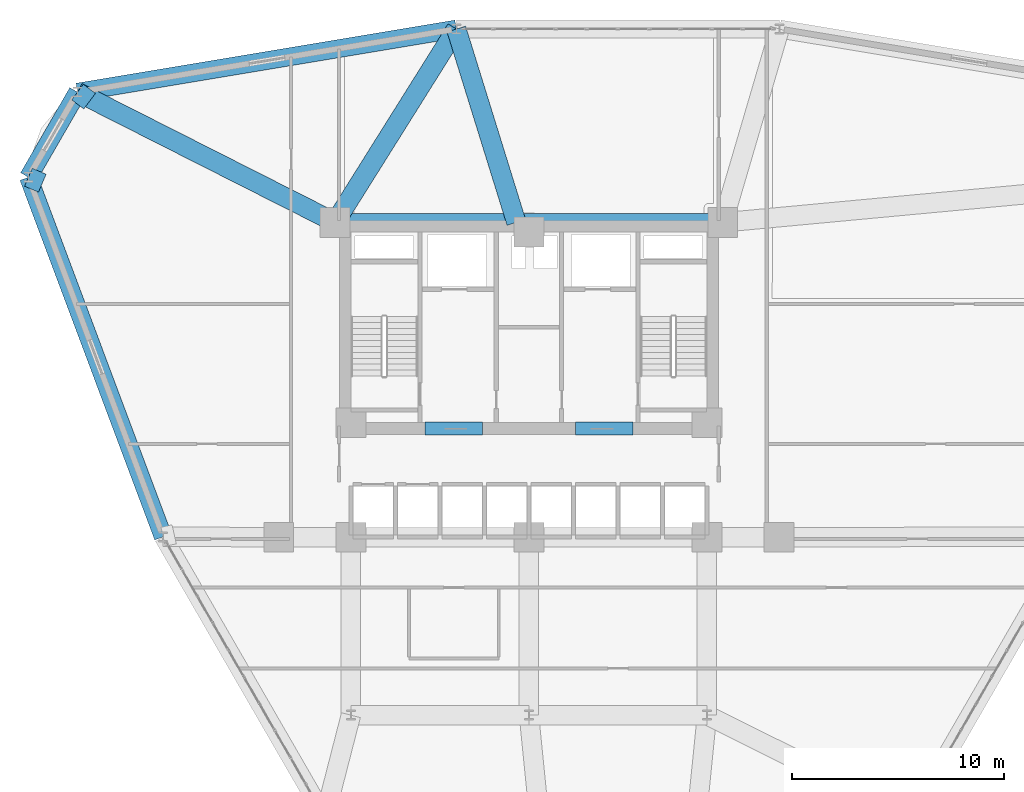
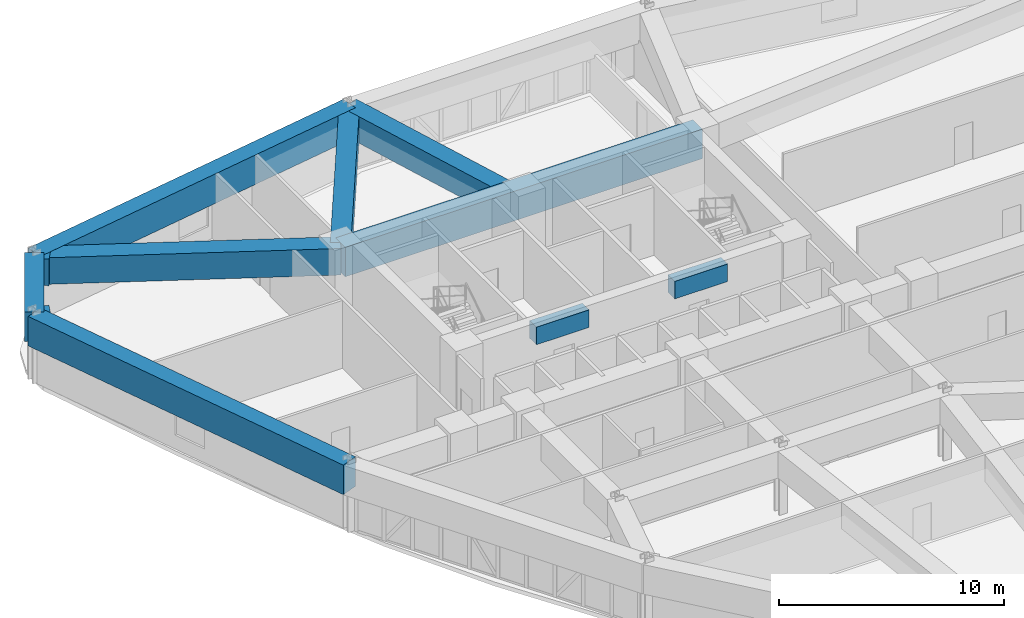
# One storey, part 9 of 18: 11 beams.
"""IFC4 building model written with IfcOpenShell, lengths in metres."""

import ifcopenshell
import ifcopenshell.guid

model = None  # the IFC model being written
_history = None  # IfcOwnerHistory: only IFC2X3 demands one
_inside = {}  # id of a spatial element -> (the spatial element, [elements in it])
_under = {}  # id of a project, library or spatial element -> (it, [spatial elements below it])
_declared = {}  # id of a project -> (the project, [libraries it declares])
_typed = {}  # id of a type object -> (the type object, [elements of that type])
_made_of = {}  # id of a material, layer set ... -> (it, [elements and type objects made of it])


def new_model(schema):
    """Start an empty IFC model of exactly this schema.

    Asked for "IFC4X3", IfcOpenShell would pick the latest addendum, in which some entities
    have other attributes; the version numbers below select the first issue.
    IFC2X3 requires an IfcOwnerHistory on every rooted entity: one is made here for all.
    """
    global model, _history
    if schema == "IFC4X3":
        model = ifcopenshell.file(schema_version=(4, 3, 0, 0))
    else:
        model = ifcopenshell.file(schema=schema)
    _inside.clear()
    _under.clear()
    _declared.clear()
    _typed.clear()
    _made_of.clear()
    _history = None
    if model.schema == "IFC2X3":
        org = make("IfcOrganization", Name="unknown")
        user = make(
            "IfcPersonAndOrganization",
            ThePerson=make("IfcPerson", FamilyName="unknown"),
            TheOrganization=org,
        )
        app = make(
            "IfcApplication",
            ApplicationDeveloper=org,
            Version="unknown",
            ApplicationFullName="unknown",
            ApplicationIdentifier="unknown",
        )
        _history = make(
            "IfcOwnerHistory",
            OwningUser=user,
            OwningApplication=app,
            ChangeAction="ADDED",
            CreationDate=0,
        )
    return model


def make(cls, **values):
    """One entity of the class cls with the attributes given. An attribute that is None is left unset."""
    return model.create_entity(
        cls, **{name: value for name, value in values.items() if value is not None}
    )


def rooted(cls, **values):
    """An entity with a GlobalId (a new one), such as an element, a storey or a relation."""
    return make(cls, GlobalId=ifcopenshell.guid.new(), OwnerHistory=_history, **values)


def si_unit(unit_type, name, prefix=None):
    """IfcSIUnit, for example si_unit("LENGTHUNIT", "METRE", prefix="MILLI")."""
    return make("IfcSIUnit", UnitType=unit_type, Prefix=prefix, Name=name)


def derived_unit(unit_type, elements):
    """IfcDerivedUnit: a product of units, each with its exponent."""
    return make(
        "IfcDerivedUnit",
        Elements=[
            make("IfcDerivedUnitElement", Unit=unit, Exponent=power)
            for unit, power in elements
        ],
        UnitType=unit_type,
    )


def assignment(units):
    """IfcUnitAssignment: the units of a project."""
    return None if units is None else make("IfcUnitAssignment", Units=units)


def point(xyz):
    """IfcCartesianPoint."""
    return None if xyz is None else make("IfcCartesianPoint", Coordinates=xyz)


def direction(xyz):
    """IfcDirection."""
    return None if xyz is None else make("IfcDirection", DirectionRatios=xyz)


def frame(location, z_axis=None, x_axis=None):
    """IfcAxis2Placement3D, a coordinate frame: its origin and axes. An axis left out is left unset."""
    return make(
        "IfcAxis2Placement3D",
        Location=point(location),
        Axis=direction(z_axis),
        RefDirection=direction(x_axis),
    )


def frame_2d(location, x_axis=None):
    """IfcAxis2Placement2D, a coordinate frame in the plane: its origin and x axis."""
    return make(
        "IfcAxis2Placement2D", Location=point(location), RefDirection=direction(x_axis)
    )


def origin():
    """The frame at (0, 0, 0) with its axes left unset."""
    return frame((0.0, 0.0, 0.0))


def origin_2d():
    """The frame at (0, 0) in the plane with its x axis left unset."""
    return frame_2d((0.0, 0.0))


def place(relative_to, where):
    """IfcLocalPlacement: puts the frame where relative to a parent placement (None: the world)."""
    return make(
        "IfcLocalPlacement", PlacementRelTo=relative_to, RelativePlacement=where
    )


def context(
    kind, dimensions, precision=None, world=None, true_north=None, identifier=None
):
    """IfcGeometricRepresentationContext, for example the 3D "Model" context."""
    return make(
        "IfcGeometricRepresentationContext",
        ContextIdentifier=identifier,
        ContextType=kind,
        CoordinateSpaceDimension=dimensions,
        Precision=precision,
        WorldCoordinateSystem=world,
        TrueNorth=true_north,
    )


def subcontext(parent, identifier, kind, view, scale=None):
    """IfcGeometricRepresentationSubContext, for example "Body" below "Model"."""
    return make(
        "IfcGeometricRepresentationSubContext",
        ContextIdentifier=identifier,
        ContextType=kind,
        ParentContext=parent,
        TargetScale=scale,
        TargetView=view,
    )


def project(units=None, contexts=None):
    """IfcProject with its units and contexts."""
    return rooted(
        "IfcProject",
        Name="project",
        RepresentationContexts=contexts,
        UnitsInContext=assignment(units),
    )


def spatial(cls, under=None, at=None, **own):
    """A site, building, storey or space (cls), placed at a placement, below another one or the project."""
    s = rooted(cls, ObjectPlacement=at, **own)
    if under is not None:
        _under.setdefault(under.id(), (under, []))[1].append(s)
    return s


def profile(cls, at=None, kind="AREA", **sizes):
    """A parametric profile (cls). Its sizes go by their IFC names, for example OverallWidth=200.0."""
    return make(cls, ProfileType=kind, Position=at, **sizes)


def rectangle(**sizes):
    """IfcRectangleProfileDef."""
    return profile("IfcRectangleProfileDef", **sizes)


def extrude(swept, where, along, depth):
    """IfcExtrudedAreaSolid: the profile swept, set in the frame where, extruded along a direction by depth."""
    return make(
        "IfcExtrudedAreaSolid",
        SweptArea=swept,
        Position=where,
        ExtrudedDirection=direction(along),
        Depth=depth,
    )


def shape(context_of_items, identifier, shape_type, items):
    """IfcShapeRepresentation: the items that make up one representation, for example the "Body"."""
    return make(
        "IfcShapeRepresentation",
        ContextOfItems=context_of_items,
        RepresentationIdentifier=identifier,
        RepresentationType=shape_type,
        Items=items,
    )


def source(mapping_origin, context_of_items, identifier, shape_type, items):
    """IfcRepresentationMap: a shape defined once, which mapped items show again and again."""
    return make(
        "IfcRepresentationMap",
        MappingOrigin=mapping_origin,
        MappedRepresentation=shape(context_of_items, identifier, shape_type, items),
    )


def transform(
    local_origin,
    x_axis=None,
    y_axis=None,
    z_axis=None,
    scale=None,
    scale2=None,
    scale3=None,
    uniform=True,
):
    """IfcCartesianTransformationOperator3D, or its non-uniform kind. x_axis, y_axis, z_axis: its Axis1, 2, 3."""
    if uniform:
        return make(
            "IfcCartesianTransformationOperator3D",
            Axis1=direction(x_axis),
            Axis2=direction(y_axis),
            LocalOrigin=point(local_origin),
            Scale=scale,
            Axis3=direction(z_axis),
        )
    return make(
        "IfcCartesianTransformationOperator3DnonUniform",
        Axis1=direction(x_axis),
        Axis2=direction(y_axis),
        LocalOrigin=point(local_origin),
        Scale=scale,
        Axis3=direction(z_axis),
        Scale2=scale2,
        Scale3=scale3,
    )


def mapped(mapping_source, mapping_target):
    """IfcMappedItem: shows the shape of a source again, moved by a transform."""
    return make(
        "IfcMappedItem", MappingSource=mapping_source, MappingTarget=mapping_target
    )


def material(Name=None, Category=None):
    """IfcMaterial."""
    return make("IfcMaterial", Name=Name, Category=Category)


def material_profile(
    of_material, cross_section, Name=None, Category=None, Priority=None
):
    """IfcMaterialProfile: a cross section and its material."""
    return make(
        "IfcMaterialProfile",
        Name=Name,
        Material=of_material,
        Profile=cross_section,
        Priority=Priority,
        Category=Category,
    )


def profile_set(profiles, Name=None, composite=None):
    """IfcMaterialProfileSet."""
    return make(
        "IfcMaterialProfileSet",
        Name=Name,
        MaterialProfiles=profiles,
        CompositeProfile=composite,
    )


def made_of(thing, what):
    """Note that an element or type object is made of a material, layer set ...; save() writes the relation."""
    if what is not None:
        _made_of.setdefault(what.id(), (what, []))[1].append(thing)
    return thing


def type_object(cls, material=None, **own):
    """A type object (cls), such as IfcWallType, which elements share."""
    return made_of(rooted(cls, **own), material)


def element(
    cls,
    number,
    at=None,
    inside=None,
    cuts=None,
    type_object=None,
    material=None,
    context=None,
    identifier="Body",
    shape_type=None,
    held_by="IfcProductDefinitionShape",
    body=None,
    shapes=None,
    **own,
):
    """One element of the class cls, such as IfcWall. Its Tag is "e" and its number.

    at: its placement. inside: the storey or other place that contains it. cuts: it is an
    opening in that element (IfcRelVoidsElement). A single representation is given by context,
    identifier, shape_type and body (its items); several are given by shapes. held_by: the class
    of the entity that holds the representations. save() writes the other relations.
    """
    e = rooted(cls, Tag="e%d" % number, ObjectPlacement=at, **own)
    if body is not None:
        shapes = [shape(context, identifier, shape_type, body)]
    if shapes is not None:
        e.Representation = make(held_by, Representations=shapes)
    if inside is not None:
        _inside.setdefault(inside.id(), (inside, []))[1].append(e)
    if cuts is not None:
        rooted(
            "IfcRelVoidsElement", RelatingBuildingElement=cuts, RelatedOpeningElement=e
        )
    if type_object is not None:
        _typed.setdefault(type_object.id(), (type_object, []))[1].append(e)
    return made_of(e, material)


def aggregate(whole, parts):
    """IfcRelAggregates: a whole, such as a stair, and the parts it consists of."""
    return rooted("IfcRelAggregates", RelatingObject=whole, RelatedObjects=parts)


def save(model, path):
    """Write the relations noted so far, then the file.

    IfcRelAggregates (storeys below a building ...), IfcRelContainedInSpatialStructure (elements
    in a storey), IfcRelDefinesByType, IfcRelAssociatesMaterial and IfcRelDeclares: one each for
    every whole, place, type object, material and project.
    """
    for whole, parts in _under.values():
        aggregate(whole, parts)
    for where, things in _inside.values():
        rooted(
            "IfcRelContainedInSpatialStructure",
            RelatedElements=things,
            RelatingStructure=where,
        )
    for kind, things in _typed.values():
        rooted("IfcRelDefinesByType", RelatedObjects=things, RelatingType=kind)
    for what, things in _made_of.values():
        rooted("IfcRelAssociatesMaterial", RelatedObjects=things, RelatingMaterial=what)
    for by, libraries in _declared.values():
        rooted("IfcRelDeclares", RelatingContext=by, RelatedDefinitions=libraries)
    model.write(path)


model = new_model("IFC4")

# Units and contexts
model_context = context("Model", 3, precision=1e-05, world=origin(), true_north=direction((0.0, 1.0)))
body_context = subcontext(model_context, "Body", "Model", "MODEL_VIEW")
ifc_project = project(units=[si_unit("LENGTHUNIT", "METRE"), si_unit("AREAUNIT", "SQUARE_METRE"), si_unit("VOLUMEUNIT", "CUBIC_METRE"), si_unit("PLANEANGLEUNIT", "RADIAN"), si_unit("MASSUNIT", "GRAM", prefix="KILO"), derived_unit("THERMALTRANSMITTANCEUNIT", [(si_unit("POWERUNIT", "WATT"), 1), (si_unit("LENGTHUNIT", "METRE"), -2), (si_unit("THERMODYNAMICTEMPERATUREUNIT", "KELVIN"), -1)])], contexts=[model_context])

# Site, building, storey
site_placement = place(None, origin())
site = spatial("IfcSite", under=ifc_project, at=site_placement, CompositionType="ELEMENT")
building_placement = place(site_placement, origin())
building = spatial("IfcBuilding", under=site, at=building_placement, Name="Korsvarv Bourse and Concert Hall", CompositionType="ELEMENT")
storey_placement = place(building_placement, frame((0.0, 0.0, 71.699951171875)))
storey = spatial("IfcBuildingStorey", under=building, at=storey_placement, Name="L17", CompositionType="ELEMENT", Elevation=71.699951171875)

# Beams
ifc_material_1 = material(Name="Concrete C55/67", Category="concrete")
ifc_material_profile_1 = material_profile(ifc_material_1, rectangle(XDim=0.60009765625, YDim=0.949951171875, at=origin_2d()), Name="RC-BM 600x950")
ifc_profile_set_1 = profile_set([ifc_material_profile_1], Name="Concrete C55/67")
beam_type_1 = type_object("IfcBeamType", Name="BM-CPL", PredefinedType="LINTEL", material=ifc_profile_set_1)
shared_shape_1 = source(origin(), body_context, "Body", "SweptSolid", [
    extrude(rectangle(XDim=0.60009765625, YDim=0.949951171875, at=origin_2d()), origin(), (0.0, 0.0, 1.0), 2.699951171875),
])
for number, where, z_axis, x_axis, name in (
    (1, (31.10009765625, 37.52490234375, 3.205078125), (1.0, 0.0, 0.0), (0.0, 1.0, 0.0), "L17 Core Coupling Beam West"),
    (2, (38.199951171875, 37.52490234375, 3.205078125), (1.0, 0.0, 0.0), (0.0, 1.0, 0.0), "L17 Core Coupling Beam East"),
):
    element("IfcBeam", number, at=place(storey_placement, frame(where, z_axis=z_axis, x_axis=x_axis)), inside=storey, type_object=beam_type_1, Name=name, PredefinedType="LINTEL", context=body_context, shape_type="MappedRepresentation", body=[
        mapped(shared_shape_1, transform((0.0, 0.0, 0.0), scale=1.0)),
    ])
ifc_material_profile_2 = material_profile(ifc_material_1, rectangle(XDim=0.85009765625, YDim=1.60009765625, at=origin_2d()), Name="RC-BM 850x1600")
ifc_profile_set_2 = profile_set([ifc_material_profile_2], Name="Concrete C55/67")
beam_type_2 = type_object("IfcBeamType", Name="BM-TR1B", PredefinedType="BEAM", material=ifc_profile_set_2)
shared_shape_2 = source(origin(), body_context, "Body", "SweptSolid", [
    extrude(rectangle(XDim=0.85009765625, YDim=1.60009765625, at=origin_2d()), origin(), (0.0, 0.0, 1.0), 18.2998046875),
])
beam_1_placement = place(storey_placement, frame((26.85009765625, 47.25, 2.880126953125), z_axis=(1.0, 0.0, 0.0), x_axis=(0.0, 1.0, 0.0)))
element("IfcBeam", 3, at=beam_1_placement, inside=storey, type_object=beam_type_2, Name="L17 beam B-TR2", PredefinedType="BEAM", context=body_context, shape_type="MappedRepresentation", body=[
    mapped(shared_shape_2, transform((0.0, 0.0, 0.0), scale=1.0)),
])
ifc_material_2 = material(Name="Concrete C50/60", Category="concrete")
ifc_material_profile_3 = material_profile(ifc_material_2, rectangle(XDim=0.919921875, YDim=1.43994140625, at=origin_2d()), Name="RC-BM 920x1440")
ifc_profile_set_3 = profile_set([ifc_material_profile_3], Name="Concrete C50/60")
beam_type_3 = type_object("IfcBeamType", Name="BM-TR-144", PredefinedType="BEAM", material=ifc_profile_set_3)
shared_shape_3 = source(origin(), body_context, "Body", "SweptSolid", [
    extrude(rectangle(XDim=0.919921875, YDim=1.43994140625, at=origin_2d()), origin(), (0.0, 0.0, 1.0), 0.711669921875),
])
beam_2_placement = place(storey_placement, frame((14.702392578125, 53.398681640625, 2.9599609375), z_axis=(0.80028805261, -0.59961573766, 0.0), x_axis=(0.59961573766, 0.80028805261, 0.0)))
element("IfcBeam", 4, at=beam_2_placement, inside=storey, type_object=beam_type_3, Name="L17 beam B-TR4", PredefinedType="BEAM", context=body_context, shape_type="MappedRepresentation", body=[
    mapped(shared_shape_3, transform((0.0, 0.0, 0.0), scale=1.0)),
])
shared_shape_4 = source(origin(), body_context, "Body", "SweptSolid", [
    extrude(rectangle(XDim=0.85009765625, YDim=1.60009765625, at=origin_2d()), origin(), (0.0, 0.0, 1.0), 4.637939453125),
])
beam_3_placement = place(storey_placement, frame((14.702392578125, 53.398681640625, 2.880126953125), z_axis=(-0.50001710905, -0.866015525644, 0.0), x_axis=(0.866015525644, -0.50001710905, 0.0)))
element("IfcBeam", 5, at=beam_3_placement, inside=storey, type_object=beam_type_2, Name="L17 beam B-TR2", PredefinedType="BEAM", context=body_context, shape_type="MappedRepresentation", body=[
    mapped(shared_shape_4, transform((0.0, 0.0, 0.0), scale=1.0)),
])
shared_shape_5 = source(origin(), body_context, "Body", "SweptSolid", [
    extrude(rectangle(XDim=0.85009765625, YDim=1.60009765625, at=origin_2d()), origin(), (0.0, 0.0, 1.0), 18.1171875),
])
for number, where, z_axis, x_axis, name in (
    (6, (32.5732421875, 56.376708984375, 2.880126953125), (-0.986397929789, -0.164374949761, 0.0), (0.164374949761, -0.986397929789, 0.0), "L17 beam B-TR2"),
    (7, (12.38330078125, 49.382080078125, 2.880126953125), (0.350850223085, -0.936431589045, 0.0), (0.936431589045, 0.350850223085, 0.0), "L17 beam B-TR2"),
):
    element("IfcBeam", number, at=place(storey_placement, frame(where, z_axis=z_axis, x_axis=x_axis)), inside=storey, type_object=beam_type_2, Name=name, PredefinedType="BEAM", context=body_context, shape_type="MappedRepresentation", body=[
        mapped(shared_shape_5, transform((0.0, 0.0, 0.0), scale=1.0)),
    ])
shared_shape_6 = source(origin(), body_context, "Body", "SweptSolid", [
    extrude(rectangle(XDim=0.919921875, YDim=1.43994140625, at=origin_2d()), origin(), (0.0, 0.0, 1.0), 10.772705078125),
])
beam_4_placement = place(storey_placement, frame((32.5732421875, 56.376708984375, 2.9599609375), z_axis=(-0.531263397699, -0.847206705749, 0.0), x_axis=(0.847206705749, -0.531263397699, 0.0)))
element("IfcBeam", 8, at=beam_4_placement, inside=storey, type_object=beam_type_3, Name="L17 beam B-TR4", PredefinedType="BEAM", context=body_context, shape_type="MappedRepresentation", body=[
    mapped(shared_shape_6, transform((0.0, 0.0, 0.0), scale=1.0)),
])
shared_shape_7 = source(origin(), body_context, "Body", "SweptSolid", [
    extrude(rectangle(XDim=0.919921875, YDim=1.43994140625, at=origin_2d()), origin(), (0.0, 0.0, 1.0), 13.615234375),
])
beam_5_placement = place(storey_placement, frame((14.702392578125, 53.398681640625, 2.9599609375), z_axis=(0.892217981347, -0.451604997493, 0.0), x_axis=(0.451604997493, 0.892217981347, 0.0)))
element("IfcBeam", 9, at=beam_5_placement, inside=storey, type_object=beam_type_3, Name="L17 beam B-TR4", PredefinedType="BEAM", context=body_context, shape_type="MappedRepresentation", body=[
    mapped(shared_shape_7, transform((0.0, 0.0, 0.0), scale=1.0)),
])
shared_shape_8 = source(origin(), body_context, "Body", "SweptSolid", [
    extrude(rectangle(XDim=0.919921875, YDim=1.43994140625, at=origin_2d()), origin(), (0.0, 0.0, 1.0), 0.7119140625),
])
beam_6_placement = place(storey_placement, frame((12.38330078125, 49.382080078125, 2.9599609375), z_axis=(0.919517161263, -0.393049857071, 0.0), x_axis=(0.393049857071, 0.919517161263, 0.0)))
element("IfcBeam", 10, at=beam_6_placement, inside=storey, type_object=beam_type_3, Name="L17 beam B-TR4", PredefinedType="BEAM", context=body_context, shape_type="MappedRepresentation", body=[
    mapped(shared_shape_8, transform((0.0, 0.0, 0.0), scale=1.0)),
])
shared_shape_9 = source(origin(), body_context, "Body", "SweptSolid", [
    extrude(rectangle(XDim=0.919921875, YDim=1.43994140625, at=origin_2d()), origin(), (0.0, 0.0, 1.0), 9.55615234375),
])
beam_7_placement = place(storey_placement, frame((32.5732421875, 56.376708984375, 2.9599609375), z_axis=(0.29640805414, -0.955061393545, 0.0), x_axis=(0.955061393545, 0.29640805414, 0.0)))
element("IfcBeam", 11, at=beam_7_placement, inside=storey, type_object=beam_type_3, Name="L17 beam B-TR4", PredefinedType="BEAM", context=body_context, shape_type="MappedRepresentation", body=[
    mapped(shared_shape_9, transform((0.0, 0.0, 0.0), scale=1.0)),
])

save(model, "model.ifc")
